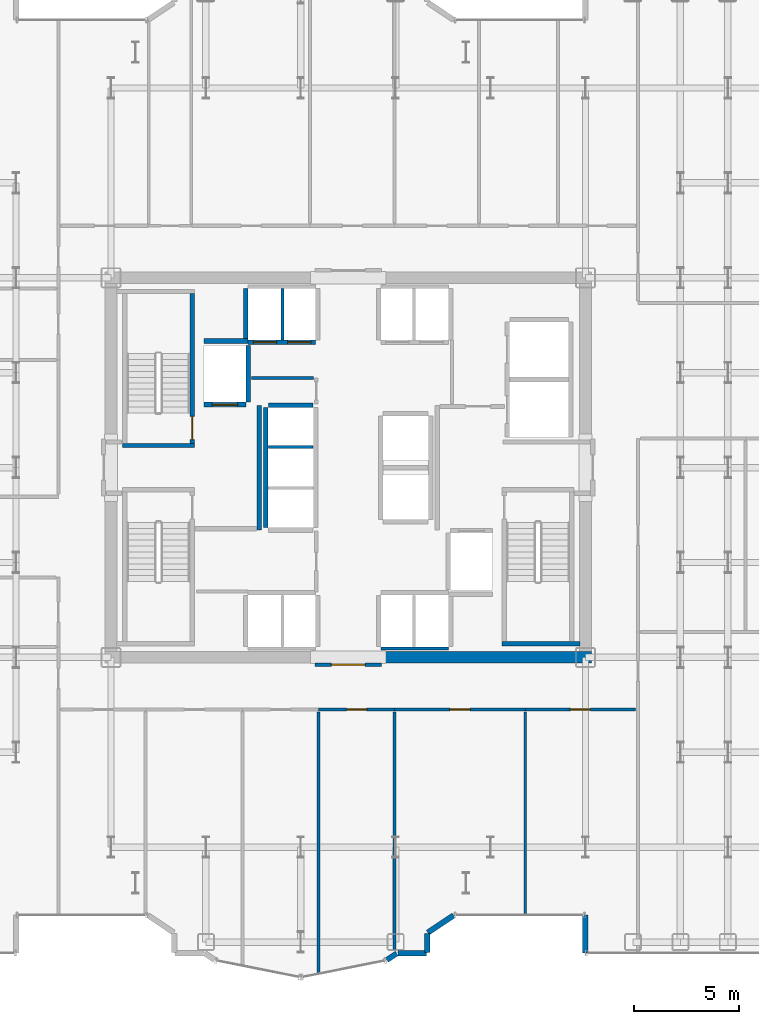
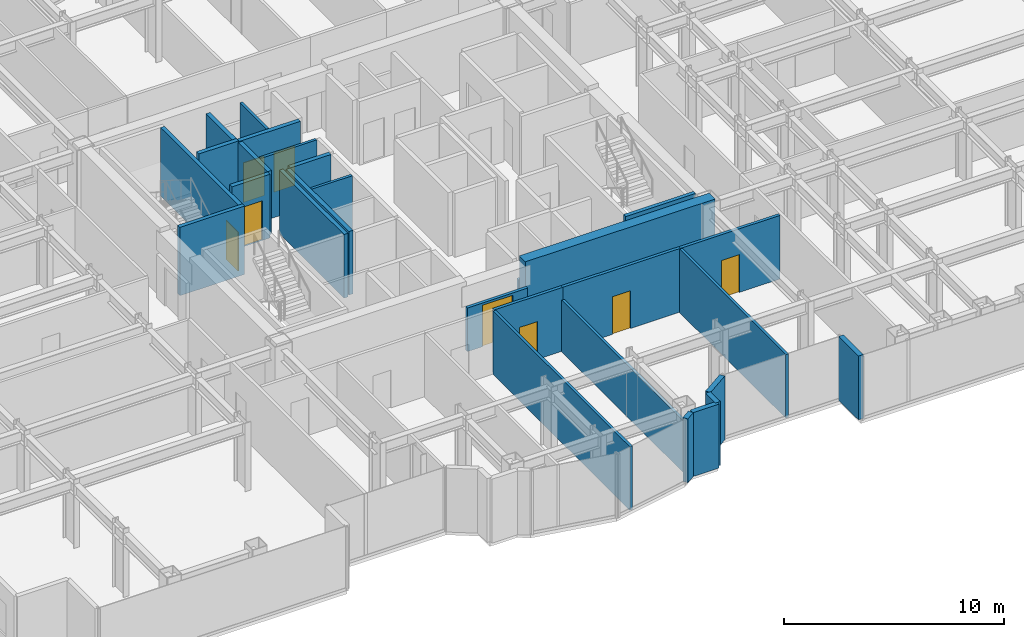
# One storey, part 21 of 26: 28 walls, 8 doors, 8 openings.
"""IFC4 building model written with IfcOpenShell, lengths in metres."""

from ifc_helpers import new_model, si_unit, direction, frame, frame_2d, origin, place, context, subcontext, project, spatial, rectangle, extrude, source, transform, mapped, material, layer, layer_set, type_object, element, fill, save


model = new_model("IFC4")

# Units and contexts
model_context = context("Model", 3, precision=1e-05, world=origin(), true_north=direction((0.0, 1.0)))
body_context = subcontext(model_context, "Body", "Model", "MODEL_VIEW")
ifc_project = project(units=[si_unit("LENGTHUNIT", "METRE"), si_unit("AREAUNIT", "SQUARE_METRE"), si_unit("VOLUMEUNIT", "CUBIC_METRE"), si_unit("PLANEANGLEUNIT", "RADIAN"), si_unit("MASSUNIT", "GRAM", prefix="KILO")], contexts=[model_context])

# Site, building, storey
site_placement = place(None, origin())
site = spatial("IfcSite", under=ifc_project, at=site_placement, CompositionType="ELEMENT")
building_placement = place(site_placement, origin())
building = spatial("IfcBuilding", under=site, at=building_placement, Name="Nefas-Gora Pilgrimage Tower", CompositionType="ELEMENT")
storey_placement = place(building_placement, frame((0.0, 0.0, 117.39990234375)))
storey = spatial("IfcBuildingStorey", under=building, at=storey_placement, Name="L28", CompositionType="ELEMENT", Elevation=117.39990234375)

# Walls
ifc_material_1 = material(Name="Concrete C60/75", Category="concrete")
ifc_layer_1 = layer(ifc_material_1, 0.550048828125)
ifc_layer_set_1 = layer_set([ifc_layer_1], Name="Concrete C60/75")
wall_type_1 = type_object("IfcWallType", Name="SW-CORE-550", PredefinedType="SHEAR", material=ifc_layer_set_1)
shared_shape_1 = source(origin(), body_context, "Body", "SweptSolid", [
    extrude(rectangle(XDim=9.974853515625, YDim=0.550048828125, at=frame_2d((4.9873046875, 0.0))), origin(), (0.0, 0.0, 1.0), 3.800048828125),
])
wall_1_placement = place(storey_placement, frame((1.550048828125, -9.0, 0.0), z_axis=(0.0, 0.0, 1.0), x_axis=(1.0, 0.0, 0.0)))
element("IfcWall", 1, at=wall_1_placement, inside=storey, type_object=wall_type_1, Name="L28 Core Shear Wall S-East", PredefinedType="SHEAR", context=body_context, shape_type="MappedRepresentation", body=[
    mapped(shared_shape_1, transform((0.0, 0.0, 0.0), x_axis=(1.0, 0.0, 0.0), y_axis=(0.0, 1.0, 0.0), z_axis=(0.0, 0.0, 1.0), scale=1.0)),
])
ifc_material_2 = material(Name="Precast concrete C40/50", Category="concrete")
ifc_layer_2 = layer(ifc_material_2, 0.260009765625)
ifc_layer_set_2 = layer_set([ifc_layer_2], Name="Precast concrete C40/50")
wall_type_2 = type_object("IfcWallType", Name="EW-PORTAL-260", PredefinedType="SOLIDWALL", material=ifc_layer_set_2)
shared_shape_2 = source(origin(), body_context, "Body", "SweptSolid", [
    extrude(rectangle(XDim=1.800048828125, YDim=0.260009765625, at=frame_2d((0.89990234375, 0.0))), origin(), (0.0, 0.0, 1.0), 3.550048828125),
])
wall_2_placement = place(storey_placement, frame((11.25, -21.219970703125, 0.0), z_axis=(0.0, 0.0, 1.0), x_axis=(0.0, -1.0, 0.0)))
element("IfcWall", 2, at=wall_2_placement, inside=storey, type_object=wall_type_2, Name="L28 Lobe Shoulder Precast Spandrel Pier 1", PredefinedType="SOLIDWALL", context=body_context, shape_type="MappedRepresentation", body=[
    mapped(shared_shape_2, transform((0.0, 0.0, 0.0), x_axis=(1.0, 0.0, 0.0), y_axis=(0.0, 1.0, 0.0), z_axis=(0.0, 0.0, 1.0), scale=1.0)),
])
shared_shape_3 = source(origin(), body_context, "Body", "SweptSolid", [
    extrude(rectangle(XDim=1.468994140625, YDim=0.260009765625, at=frame_2d((0.734375, 0.0))), origin(), (0.0, 0.0, 1.0), 3.550048828125),
])
wall_3_placement = place(storey_placement, frame((3.773193359375, -22.0517578125, 0.0), z_axis=(0.0, 0.0, 1.0), x_axis=(0.831461760506, 0.555581983884, 0.0)))
element("IfcWall", 3, at=wall_3_placement, inside=storey, type_object=wall_type_2, Name="L28 Lobe Shoulder Precast Spandrel Pier 36", PredefinedType="SOLIDWALL", context=body_context, shape_type="MappedRepresentation", body=[
    mapped(shared_shape_3, transform((0.0, 0.0, 0.0), x_axis=(1.0, 0.0, 0.0), y_axis=(0.0, 1.0, 0.0), z_axis=(0.0, 0.0, 1.0), scale=1.0)),
])
shared_shape_4 = source(origin(), body_context, "Body", "SweptSolid", [
    extrude(rectangle(XDim=0.896728515625, YDim=0.260009765625, at=frame_2d((0.4482421875, 0.0))), origin(), (0.0, 0.0, 1.0), 3.550048828125),
])
wall_4_placement = place(storey_placement, frame((3.75, -22.991943359375, 0.0), z_axis=(0.0, 0.0, 1.0), x_axis=(0.0, 1.0, 0.0)))
element("IfcWall", 4, at=wall_4_placement, inside=storey, type_object=wall_type_2, Name="L28 Lobe Shoulder Precast Spandrel Pier 35", PredefinedType="SOLIDWALL", context=body_context, shape_type="MappedRepresentation", body=[
    mapped(shared_shape_4, transform((0.0, 0.0, 0.0), x_axis=(1.0, 0.0, 0.0), y_axis=(0.0, 1.0, 0.0), z_axis=(0.0, 0.0, 1.0), scale=1.0)),
])
shared_shape_5 = source(origin(), body_context, "Body", "SweptSolid", [
    extrude(rectangle(XDim=1.369873046875, YDim=0.260009765625, at=frame_2d((0.68505859375, 0.0))), origin(), (0.0, 0.0, 1.0), 3.550048828125),
])
wall_5_placement = place(storey_placement, frame((2.35205078125, -23.02001953125, 0.0), z_axis=(0.0, 0.0, 1.0), x_axis=(1.0, 0.0, 0.0)))
element("IfcWall", 5, at=wall_5_placement, inside=storey, type_object=wall_type_2, Name="L28 Lobe Shoulder Precast Spandrel Pier 34", PredefinedType="SOLIDWALL", context=body_context, shape_type="MappedRepresentation", body=[
    mapped(shared_shape_5, transform((0.0, 0.0, 0.0), x_axis=(1.0, 0.0, 0.0), y_axis=(0.0, 1.0, 0.0), z_axis=(0.0, 0.0, 1.0), scale=1.0)),
])
shared_shape_6 = source(origin(), body_context, "Body", "SweptSolid", [
    extrude(rectangle(XDim=0.5654296875, YDim=0.260009765625, at=frame_2d((0.28271484375, 0.0))), origin(), (0.0, 0.0, 1.0), 3.550048828125),
])
wall_6_placement = place(storey_placement, frame((1.83056640625, -23.349609375, 0.0), z_axis=(0.0, 0.0, 1.0), x_axis=(0.831651492666, 0.555297933317, 0.0)))
element("IfcWall", 6, at=wall_6_placement, inside=storey, type_object=wall_type_2, Name="L28 Lobe Shoulder Precast Spandrel Pier 33", PredefinedType="SOLIDWALL", context=body_context, shape_type="MappedRepresentation", body=[
    mapped(shared_shape_6, transform((0.0, 0.0, 0.0), x_axis=(1.0, 0.0, 0.0), y_axis=(0.0, 1.0, 0.0), z_axis=(0.0, 0.0, 1.0), scale=1.0)),
])
ifc_material_3 = material(Name="Concrete C45/55", Category="concrete")
ifc_layer_3 = layer(ifc_material_3, 0.199951171875)
ifc_layer_set_3 = layer_set([ifc_layer_3], Name="Concrete C45/55")
wall_type_3 = type_object("IfcWallType", Name="IW-STAIR-200", PredefinedType="SOLIDWALL", material=ifc_layer_set_3)
shared_shape_7 = source(origin(), body_context, "Body", "SweptSolid", [
    extrude(rectangle(XDim=3.39990234375, YDim=0.199951171875, at=frame_2d((1.699951171875, 0.0))), origin(), (0.0, 0.0, 1.0), 3.800048828125),
])
wall_7_placement = place(storey_placement, frame((-7.300048828125, 1.050048828125, 0.0), z_axis=(0.0, 0.0, 1.0), x_axis=(-1.0, 0.0, 0.0)))
element("IfcWall", 7, at=wall_7_placement, inside=storey, type_object=wall_type_3, Name="L28 Stairwell Shear Wall ST-01-near", PredefinedType="SOLIDWALL", context=body_context, shape_type="MappedRepresentation", body=[
    mapped(shared_shape_7, transform((0.0, 0.0, 0.0), x_axis=(1.0, 0.0, 0.0), y_axis=(0.0, 1.0, 0.0), z_axis=(0.0, 0.0, 1.0), scale=1.0)),
])

# Wall, opening, door
shared_shape_8 = source(origin(), body_context, "Body", "SweptSolid", [
    extrude(rectangle(XDim=7.10009765625, YDim=0.199951171875, at=frame_2d((3.550048828125, 0.0))), origin(), (0.0, 0.0, 1.0), 3.800048828125),
])
wall_8_placement = place(storey_placement, frame((-7.39990234375, 1.14990234375, 0.0), z_axis=(0.0, 0.0, 1.0), x_axis=(0.0, 1.0, 0.0)))
wall_8 = element("IfcWall", 8, at=wall_8_placement, inside=storey, type_object=wall_type_3, Name="L28 Stairwell Shear Wall ST-01-left", PredefinedType="SOLIDWALL", context=body_context, shape_type="MappedRepresentation", body=[
    mapped(shared_shape_8, transform((0.0, 0.0, 0.0), x_axis=(1.0, 0.0, 0.0), y_axis=(0.0, 1.0, 0.0), z_axis=(0.0, 0.0, 1.0), scale=1.0)),
])
opening_1_placement = place(wall_8_placement, frame((0.179931640625, 0.0, 0.0)))
opening_1 = element("IfcOpeningElement", 9, at=opening_1_placement, cuts=wall_8, Name="Opening ID-ST1", PredefinedType="OPENING", context=body_context, shape_type="SweptSolid", body=[
    extrude(rectangle(XDim=1.10009765625, YDim=2.14990234375, at=frame_2d((0.550048828125, 1.074951171875))), frame((0.0, 0.10986328125, 0.0), z_axis=(0.0, -1.0, 0.0), x_axis=(1.0, 0.0, 0.0)), (0.0, 0.0, 1.0), 0.219970703125),
])
ifc_material_4 = material(Name="Painted galvanised steel fire stair door", Category="steel")
door_type_1 = type_object("IfcDoorType", Name="DR-INT-STAIR-1100", OperationType="NOTDEFINED", PredefinedType="DOOR", material=ifc_material_4)
shared_shape_9 = source(origin(), body_context, "Body", "SweptSolid", [
    extrude(rectangle(XDim=1.10009765625, YDim=2.14990234375, at=frame_2d((0.550048828125, 1.074951171875))), frame((0.0, 0.02490234375, 0.0), z_axis=(0.0, -1.0, 0.0), x_axis=(1.0, 0.0, 0.0)), (0.0, 0.0, 1.0), 0.050048828125),
])
door_1_placement = place(opening_1_placement, origin())
door_1 = element("IfcDoor", 10, at=door_1_placement, inside=storey, type_object=door_type_1, Name="L28 Protected Exit Stair Door ST-01", OperationType="SINGLE_SWING_RIGHT", OverallHeight=2.14990234375, OverallWidth=1.10009765625, PredefinedType="DOOR", context=body_context, shape_type="MappedRepresentation", body=[
    mapped(shared_shape_9, transform((0.0, 0.0, 0.0), x_axis=(1.0, 0.0, 0.0), y_axis=(0.0, 1.0, 0.0), z_axis=(0.0, 0.0, 1.0), scale=1.0)),
])
fill(opening_1, door_1)

# Walls
shared_shape_10 = source(origin(), body_context, "Body", "SweptSolid", [
    extrude(rectangle(XDim=3.679931640625, YDim=0.199951171875, at=frame_2d((1.83984375, 0.0))), origin(), (0.0, 0.0, 1.0), 3.800048828125),
])
wall_9_placement = place(storey_placement, frame((7.300048828125, -8.35009765625, 0.0), z_axis=(0.0, 0.0, 1.0), x_axis=(1.0, 0.0, 0.0)))
element("IfcWall", 11, at=wall_9_placement, inside=storey, type_object=wall_type_3, Name="L28 Stairwell Shear Wall ST-02-far", PredefinedType="SOLIDWALL", context=body_context, shape_type="MappedRepresentation", body=[
    mapped(shared_shape_10, transform((0.0, 0.0, 0.0), x_axis=(1.0, 0.0, 0.0), y_axis=(0.0, 1.0, 0.0), z_axis=(0.0, 0.0, 1.0), scale=1.0)),
])
ifc_material_5 = material(Name="Gypsum acoustic stud partition")
ifc_layer_4 = layer(ifc_material_5, 0.159912109375)
ifc_layer_set_4 = layer_set([ifc_layer_4], Name="Gypsum acoustic stud partition")
wall_type_4 = type_object("IfcWallType", Name="IW-CORR-160", PredefinedType="PARTITIONING", material=ifc_layer_set_4)
shared_shape_11 = source(origin(), body_context, "Body", "SweptSolid", [
    extrude(rectangle(XDim=3.199951171875, YDim=0.159912109375, at=frame_2d((1.60009765625, 0.0))), origin(), (0.0, 0.0, 1.0), 2.425048828125),
])
wall_10_placement = place(storey_placement, frame((1.550048828125, -8.580078125, 0.0), z_axis=(0.0, 0.0, 1.0), x_axis=(1.0, 0.0, 0.0)))
element("IfcWall", 12, at=wall_10_placement, inside=storey, type_object=wall_type_4, Name="L28 Hoistway Wall PL2-E-S", PredefinedType="PARTITIONING", context=body_context, shape_type="MappedRepresentation", body=[
    mapped(shared_shape_11, transform((0.0, 0.0, 0.0), x_axis=(1.0, 0.0, 0.0), y_axis=(0.0, 1.0, 0.0), z_axis=(0.0, 0.0, 1.0), scale=1.0)),
])

# Wall, opening, door
ifc_material_6 = material(Name="Concrete C40/50", Category="concrete")
ifc_layer_5 = layer(ifc_material_6, 0.219970703125)
ifc_layer_set_5 = layer_set([ifc_layer_5], Name="Concrete C40/50")
wall_type_5 = type_object("IfcWallType", Name="IW-SHAFT-220", PredefinedType="SOLIDWALL", material=ifc_layer_set_5)
shared_shape_12 = source(origin(), body_context, "Body", "SweptSolid", [
    extrude(rectangle(XDim=2.0, YDim=0.219970703125, at=frame_2d((1.0, 0.0))), origin(), (0.0, 0.0, 1.0), 3.53515625),
])
wall_11_placement = place(storey_placement, frame((-6.85009765625, 2.989990234375, 0.0), z_axis=(0.0, 0.0, 1.0), x_axis=(1.0, 0.0, 0.0)))
wall_11 = element("IfcWall", 13, at=wall_11_placement, inside=storey, type_object=wall_type_5, Name="L28 Hoistway Wall FFL-01-S", PredefinedType="SOLIDWALL", context=body_context, shape_type="MappedRepresentation", body=[
    mapped(shared_shape_12, transform((0.0, 0.0, 0.0), x_axis=(1.0, 0.0, 0.0), y_axis=(0.0, 1.0, 0.0), z_axis=(0.0, 0.0, 1.0), scale=1.0)),
])
opening_2_placement = place(wall_11_placement, frame((0.39990234375, 0.0, 0.0)))
opening_2 = element("IfcOpeningElement", 14, at=opening_2_placement, cuts=wall_11, Name="Opening LD-FF", PredefinedType="OPENING", context=body_context, shape_type="SweptSolid", body=[
    extrude(rectangle(XDim=1.199951171875, YDim=2.199951171875, at=frame_2d((0.60009765625, 1.10009765625))), frame((0.0, 0.119873046875, 0.0), z_axis=(0.0, -1.0, 0.0), x_axis=(1.0, 0.0, 0.0)), (0.0, 0.0, 1.0), 0.239990234375),
])
ifc_material_7 = material(Name="Fire-service sliding lift landing door")
door_type_2 = type_object("IfcDoorType", Name="DR-LIFT-FSAE-1200", OperationType="SLIDING_TO_LEFT", PredefinedType="DOOR", material=ifc_material_7)
shared_shape_13 = source(origin(), body_context, "Body", "SweptSolid", [
    extrude(rectangle(XDim=1.199951171875, YDim=2.199951171875, at=frame_2d((0.60009765625, 1.10009765625))), frame((0.0, 0.02490234375, 0.0), z_axis=(0.0, -1.0, 0.0), x_axis=(1.0, 0.0, 0.0)), (0.0, 0.0, 1.0), 0.050048828125),
])
door_2_placement = place(opening_2_placement, origin())
door_2 = element("IfcDoor", 15, at=door_2_placement, inside=storey, type_object=door_type_2, Name="L28 Sliding Lift Landing Door FFL-01", OperationType="SLIDING_TO_LEFT", OverallHeight=2.199951171875, OverallWidth=1.199951171875, PredefinedType="DOOR", context=body_context, shape_type="MappedRepresentation", body=[
    mapped(shared_shape_13, transform((0.0, 0.0, 0.0), x_axis=(1.0, 0.0, 0.0), y_axis=(0.0, 1.0, 0.0), z_axis=(0.0, 0.0, 1.0), scale=1.0)),
])
fill(opening_2, door_2)

# Wall
shared_shape_14 = source(origin(), body_context, "Body", "SweptSolid", [
    extrude(rectangle(XDim=2.679931640625, YDim=0.219970703125, at=frame_2d((1.33984375, 0.0))), origin(), (0.0, 0.0, 1.0), 3.53515625),
])
wall_12_placement = place(storey_placement, frame((-4.739990234375, 3.110107421875, 0.0), z_axis=(0.0, 0.0, 1.0), x_axis=(0.0, 1.0, 0.0)))
element("IfcWall", 16, at=wall_12_placement, inside=storey, type_object=wall_type_5, Name="L28 Hoistway Wall FFL-01-E", PredefinedType="SOLIDWALL", context=body_context, shape_type="MappedRepresentation", body=[
    mapped(shared_shape_14, transform((0.0, 0.0, 0.0), x_axis=(1.0, 0.0, 0.0), y_axis=(0.0, 1.0, 0.0), z_axis=(0.0, 0.0, 1.0), scale=1.0)),
])

# Wall, openings, doors
shared_shape_15 = source(origin(), body_context, "Body", "SweptSolid", [
    extrude(rectangle(XDim=3.199951171875, YDim=0.219970703125, at=frame_2d((1.60009765625, 0.0))), origin(), (0.0, 0.0, 1.0), 3.53515625),
])
wall_13_placement = place(storey_placement, frame((-4.75, 5.93994140625, 0.0), z_axis=(0.0, 0.0, 1.0), x_axis=(1.0, 0.0, 0.0)))
wall_13 = element("IfcWall", 17, at=wall_13_placement, inside=storey, type_object=wall_type_5, Name="L28 Hoistway Wall PL1-W-S", PredefinedType="SOLIDWALL", context=body_context, shape_type="MappedRepresentation", body=[
    mapped(shared_shape_15, transform((0.0, 0.0, 0.0), x_axis=(1.0, 0.0, 0.0), y_axis=(0.0, 1.0, 0.0), z_axis=(0.0, 0.0, 1.0), scale=1.0)),
])
opening_3_placement = place(wall_13_placement, frame((0.25, 0.0, 0.0)))
opening_3 = element("IfcOpeningElement", 18, at=opening_3_placement, cuts=wall_13, Name="Opening LD-01", PredefinedType="OPENING", context=body_context, shape_type="SweptSolid", body=[
    extrude(rectangle(XDim=1.10009765625, YDim=2.199951171875, at=frame_2d((0.550048828125, 1.10009765625))), frame((0.0, 0.119873046875, 0.0), z_axis=(0.0, -1.0, 0.0), x_axis=(1.0, 0.0, 0.0)), (0.0, 0.0, 1.0), 0.239990234375),
])
opening_4_placement = place(wall_13_placement, frame((1.875, 0.0, 0.0)))
opening_4 = element("IfcOpeningElement", 19, at=opening_4_placement, cuts=wall_13, Name="Opening LD-01", PredefinedType="OPENING", context=body_context, shape_type="SweptSolid", body=[
    extrude(rectangle(XDim=1.10009765625, YDim=2.199951171875, at=frame_2d((0.550048828125, 1.10009765625))), frame((0.0, 0.119873046875, 0.0), z_axis=(0.0, -1.0, 0.0), x_axis=(1.0, 0.0, 0.0)), (0.0, 0.0, 1.0), 0.239990234375),
])
ifc_material_8 = material(Name="Brushed stainless sliding lift landing door")
door_type_3 = type_object("IfcDoorType", Name="DR-LIFT-PASS-1100", OperationType="DOUBLE_DOOR_SLIDING", PredefinedType="DOOR", material=ifc_material_8)
shared_shape_16 = source(origin(), body_context, "Body", "SweptSolid", [
    extrude(rectangle(XDim=1.10009765625, YDim=2.199951171875, at=frame_2d((0.550048828125, 1.10009765625))), frame((0.0, 0.02490234375, 0.0), z_axis=(0.0, -1.0, 0.0), x_axis=(1.0, 0.0, 0.0)), (0.0, 0.0, 1.0), 0.050048828125),
])
door_3_placement = place(opening_3_placement, origin())
door_3 = element("IfcDoor", 20, at=door_3_placement, inside=storey, type_object=door_type_3, Name="L28 Sliding Lift Landing Door PL1-01", OperationType="DOUBLE_DOOR_SLIDING", OverallHeight=2.199951171875, OverallWidth=1.10009765625, PredefinedType="DOOR", context=body_context, shape_type="MappedRepresentation", body=[
    mapped(shared_shape_16, transform((0.0, 0.0, 0.0), x_axis=(1.0, 0.0, 0.0), y_axis=(0.0, 1.0, 0.0), z_axis=(0.0, 0.0, 1.0), scale=1.0)),
])
fill(opening_3, door_3)
door_4_placement = place(opening_4_placement, origin())
door_4 = element("IfcDoor", 21, at=door_4_placement, inside=storey, type_object=door_type_3, Name="L28 Sliding Lift Landing Door PL1-02", OperationType="DOUBLE_DOOR_SLIDING", OverallHeight=2.199951171875, OverallWidth=1.10009765625, PredefinedType="DOOR", context=body_context, shape_type="MappedRepresentation", body=[
    mapped(shared_shape_16, transform((0.0, 0.0, 0.0), x_axis=(1.0, 0.0, 0.0), y_axis=(0.0, 1.0, 0.0), z_axis=(0.0, 0.0, 1.0), scale=1.0)),
])
fill(opening_4, door_4)

# Walls
shared_shape_17 = source(origin(), body_context, "Body", "SweptSolid", [
    extrude(rectangle(XDim=2.429931640625, YDim=0.219970703125, at=frame_2d((1.21484375, 0.0))), origin(), (0.0, 0.0, 1.0), 3.53515625),
])
wall_14_placement = place(storey_placement, frame((-4.860107421875, 8.489990234375, 0.0), z_axis=(0.0, 0.0, 1.0), x_axis=(0.0, -1.0, 0.0)))
element("IfcWall", 22, at=wall_14_placement, inside=storey, type_object=wall_type_5, Name="L28 Hoistway Wall PL1-W-W", PredefinedType="SOLIDWALL", context=body_context, shape_type="MappedRepresentation", body=[
    mapped(shared_shape_17, transform((0.0, 0.0, 0.0), x_axis=(1.0, 0.0, 0.0), y_axis=(0.0, 1.0, 0.0), z_axis=(0.0, 0.0, 1.0), scale=1.0)),
])
ifc_material_9 = material(Name="Gypsum twin-stud partition")
ifc_layer_6 = layer(ifc_material_9, 0.139892578125)
ifc_layer_set_6 = layer_set([ifc_layer_6], Name="Gypsum twin-stud partition")
wall_type_6 = type_object("IfcWallType", Name="IW-UNIT-140", PredefinedType="PARTITIONING", material=ifc_layer_set_6)
shared_shape_18 = source(origin(), body_context, "Body", "SweptSolid", [
    extrude(rectangle(XDim=2.429931640625, YDim=0.139892578125, at=frame_2d((1.21484375, 0.0))), origin(), (0.0, 0.0, 1.0), 3.53515625),
])
wall_15_placement = place(storey_placement, frame((-3.125, 6.06005859375, 0.0), z_axis=(0.0, 0.0, 1.0), x_axis=(0.0, 1.0, 0.0)))
element("IfcWall", 23, at=wall_15_placement, inside=storey, type_object=wall_type_6, Name="L28 Hoistway Wall PL1-W-DIV", PredefinedType="PARTITIONING", context=body_context, shape_type="MappedRepresentation", body=[
    mapped(shared_shape_18, transform((0.0, 0.0, 0.0), x_axis=(1.0, 0.0, 0.0), y_axis=(0.0, 1.0, 0.0), z_axis=(0.0, 0.0, 1.0), scale=1.0)),
])
shared_shape_19 = source(origin(), body_context, "Body", "SweptSolid", [
    extrude(rectangle(XDim=5.7001953125, YDim=0.219970703125, at=frame_2d((2.85009765625, 0.0))), origin(), (0.0, 0.0, 1.0), 3.53515625),
])
wall_16_placement = place(storey_placement, frame((-3.909912109375, 2.85009765625, 0.0), z_axis=(0.0, 0.0, 1.0), x_axis=(0.0, -1.0, 0.0)))
element("IfcWall", 24, at=wall_16_placement, inside=storey, type_object=wall_type_5, Name="L28 Hoistway Wall PL3-01-03-W", PredefinedType="SOLIDWALL", context=body_context, shape_type="MappedRepresentation", body=[
    mapped(shared_shape_19, transform((0.0, 0.0, 0.0), x_axis=(1.0, 0.0, 0.0), y_axis=(0.0, 1.0, 0.0), z_axis=(0.0, 0.0, 1.0), scale=1.0)),
])
shared_shape_20 = source(origin(), body_context, "Body", "SweptSolid", [
    extrude(rectangle(XDim=2.130126953125, YDim=0.219970703125, at=frame_2d((1.06494140625, 0.0))), origin(), (0.0, 0.0, 1.0), 3.53515625),
])
wall_17_placement = place(storey_placement, frame((-1.659912109375, 2.9599609375, 0.0), z_axis=(0.0, 0.0, 1.0), x_axis=(-1.0, 0.0, 0.0)))
element("IfcWall", 25, at=wall_17_placement, inside=storey, type_object=wall_type_5, Name="L28 Hoistway Wall PL3-03-N", PredefinedType="SOLIDWALL", context=body_context, shape_type="MappedRepresentation", body=[
    mapped(shared_shape_20, transform((0.0, 0.0, 0.0), x_axis=(1.0, 0.0, 0.0), y_axis=(0.0, 1.0, 0.0), z_axis=(0.0, 0.0, 1.0), scale=1.0)),
])
shared_shape_21 = source(origin(), body_context, "Body", "SweptSolid", [
    extrude(rectangle(XDim=2.130126953125, YDim=0.139892578125, at=frame_2d((1.06494140625, 0.0))), origin(), (0.0, 0.0, 1.0), 3.53515625),
])
wall_18_placement = place(storey_placement, frame((-3.7900390625, 0.97509765625, 0.0), z_axis=(0.0, 0.0, 1.0), x_axis=(1.0, 0.0, 0.0)))
element("IfcWall", 26, at=wall_18_placement, inside=storey, type_object=wall_type_6, Name="L28 Hoistway Wall PL3-02-03-DIV", PredefinedType="PARTITIONING", context=body_context, shape_type="MappedRepresentation", body=[
    mapped(shared_shape_21, transform((0.0, 0.0, 0.0), x_axis=(1.0, 0.0, 0.0), y_axis=(0.0, 1.0, 0.0), z_axis=(0.0, 0.0, 1.0), scale=1.0)),
])
shared_shape_22 = source(origin(), body_context, "Body", "SweptSolid", [
    extrude(rectangle(XDim=2.09521484375, YDim=0.219970703125, at=frame_2d((1.047607421875, 0.0))), origin(), (0.0, 0.0, 1.0), 3.53515625),
])
wall_19_placement = place(storey_placement, frame((-6.85009765625, 6.0, 0.0), z_axis=(0.0, 0.0, 1.0), x_axis=(1.0, 0.0, 0.0)))
element("IfcWall", 27, at=wall_19_placement, inside=storey, type_object=wall_type_5, Name="L28 Riser Shaft Wall 1", PredefinedType="SOLIDWALL", context=body_context, shape_type="MappedRepresentation", body=[
    mapped(shared_shape_22, transform((0.0, 0.0, 0.0), x_axis=(1.0, 0.0, 0.0), y_axis=(0.0, 1.0, 0.0), z_axis=(0.0, 0.0, 1.0), scale=1.0)),
])
ifc_material_10 = material(Name="Gypsum fire-rated shaftwall")
ifc_layer_7 = layer(ifc_material_10, 0.199951171875)
ifc_layer_set_7 = layer_set([ifc_layer_7], Name="Gypsum fire-rated shaftwall")
wall_type_7 = type_object("IfcWallType", Name="IW-FFLOB-200", PredefinedType="PARTITIONING", material=ifc_layer_set_7)
shared_shape_23 = source(origin(), body_context, "Body", "SweptSolid", [
    extrude(rectangle(XDim=5.89990234375, YDim=0.199951171875, at=frame_2d((2.949951171875, 0.0))), origin(), (0.0, 0.0, 1.0), 3.53515625),
])
wall_20_placement = place(storey_placement, frame((-4.219970703125, -2.949951171875, 0.0), z_axis=(0.0, 0.0, 1.0), x_axis=(0.0, 1.0, 0.0)))
element("IfcWall", 28, at=wall_20_placement, inside=storey, type_object=wall_type_7, Name="L28 FF Lobby West Inner Wall Wall 4", PredefinedType="PARTITIONING", context=body_context, shape_type="MappedRepresentation", body=[
    mapped(shared_shape_23, transform((0.0, 0.0, 0.0), x_axis=(1.0, 0.0, 0.0), y_axis=(0.0, 1.0, 0.0), z_axis=(0.0, 0.0, 1.0), scale=1.0)),
])
shared_shape_24 = source(origin(), body_context, "Body", "SweptSolid", [
    extrude(rectangle(XDim=2.9501953125, YDim=0.139892578125, at=frame_2d((1.47509765625, 0.0))), origin(), (0.0, 0.0, 1.0), 3.53515625),
])
wall_21_placement = place(storey_placement, frame((-4.590087890625, 4.25, 0.0), z_axis=(0.0, 0.0, 1.0), x_axis=(1.0, 0.0, 0.0)))
element("IfcWall", 29, at=wall_21_placement, inside=storey, type_object=wall_type_6, Name="L28 Housekeeping and Linen Store Partition Wall 17", PredefinedType="PARTITIONING", context=body_context, shape_type="MappedRepresentation", body=[
    mapped(shared_shape_24, transform((0.0, 0.0, 0.0), x_axis=(1.0, 0.0, 0.0), y_axis=(0.0, 1.0, 0.0), z_axis=(0.0, 0.0, 1.0), scale=1.0)),
])
shared_shape_25 = source(origin(), body_context, "Body", "SweptSolid", [
    extrude(rectangle(XDim=9.64990234375, YDim=0.139892578125, at=frame_2d((4.824951171875, 0.0))), origin(), (0.0, 0.0, 1.0), 3.53515625),
])
wall_22_placement = place(storey_placement, frame((8.39501953125, -21.239990234375, 0.0), z_axis=(0.0, 0.0, 1.0), x_axis=(0.0, 1.0, 0.0)))
element("IfcWall", 30, at=wall_22_placement, inside=storey, type_object=wall_type_6, Name="L28 Pilgrim Contemplative Lounge Partition Wall 63", PredefinedType="PARTITIONING", context=body_context, shape_type="MappedRepresentation", body=[
    mapped(shared_shape_25, transform((0.0, 0.0, 0.0), x_axis=(1.0, 0.0, 0.0), y_axis=(0.0, 1.0, 0.0), z_axis=(0.0, 0.0, 1.0), scale=1.0)),
])

# Wall, opening, door
shared_shape_26 = source(origin(), body_context, "Body", "SweptSolid", [
    extrude(rectangle(XDim=5.22509765625, YDim=0.159912109375, at=frame_2d((2.612548828125, 0.0))), origin(), (0.0, 0.0, 1.0), 3.53515625),
])
wall_23_placement = place(storey_placement, frame((8.39501953125, -11.469970703125, 0.0), z_axis=(0.0, 0.0, 1.0), x_axis=(1.0, 0.0, 0.0)))
wall_23 = element("IfcWall", 31, at=wall_23_placement, inside=storey, type_object=wall_type_4, Name="L28 Pilgrim Contemplative Lounge Partition Wall 64", PredefinedType="PARTITIONING", context=body_context, shape_type="MappedRepresentation", body=[
    mapped(shared_shape_26, transform((0.0, 0.0, 0.0), x_axis=(1.0, 0.0, 0.0), y_axis=(0.0, 1.0, 0.0), z_axis=(0.0, 0.0, 1.0), scale=1.0)),
])
opening_5_placement = place(wall_23_placement, frame((2.137451171875, 0.0, 0.0)))
opening_5 = element("IfcOpeningElement", 32, at=opening_5_placement, cuts=wall_23, Name="Opening ID-GR1", PredefinedType="OPENING", context=body_context, shape_type="SweptSolid", body=[
    extrude(rectangle(XDim=0.949951171875, YDim=2.10009765625, at=frame_2d((0.47509765625, 1.050048828125))), frame((0.0, 0.08984375, 0.0), z_axis=(0.0, -1.0, 0.0), x_axis=(1.0, 0.0, 0.0)), (0.0, 0.0, 1.0), 0.179931640625),
])
ifc_material_11 = material(Name="Solid core oak fire-rated guest entrance door")
door_type_4 = type_object("IfcDoorType", Name="DR-INT-GUEST-950", OperationType="NOTDEFINED", PredefinedType="DOOR", material=ifc_material_11)
shared_shape_27 = source(origin(), body_context, "Body", "SweptSolid", [
    extrude(rectangle(XDim=0.949951171875, YDim=2.10009765625, at=frame_2d((0.47509765625, 1.050048828125))), frame((0.0, 0.02490234375, 0.0), z_axis=(0.0, -1.0, 0.0), x_axis=(1.0, 0.0, 0.0)), (0.0, 0.0, 1.0), 0.050048828125),
])
door_5_placement = place(opening_5_placement, origin())
door_5 = element("IfcDoor", 33, at=door_5_placement, inside=storey, type_object=door_type_4, Name="L28 Pilgrim Contemplative Lounge Door 31", OperationType="SINGLE_SWING_RIGHT", OverallHeight=2.10009765625, OverallWidth=0.949951171875, PredefinedType="DOOR", context=body_context, shape_type="MappedRepresentation", body=[
    mapped(shared_shape_27, transform((0.0, 0.0, 0.0), x_axis=(1.0, 0.0, 0.0), y_axis=(0.0, 1.0, 0.0), z_axis=(0.0, 0.0, 1.0), scale=1.0)),
])
fill(opening_5, door_5)

shared_shape_28 = source(origin(), body_context, "Body", "SweptSolid", [
    extrude(rectangle(XDim=3.16015625, YDim=0.159912109375, at=frame_2d((1.580078125, 0.0))), origin(), (0.0, 0.0, 1.0), 2.425048828125),
])
wall_24_placement = place(storey_placement, frame((-1.580078125, -9.35009765625, 0.0), z_axis=(0.0, 0.0, 1.0), x_axis=(1.0, 0.0, 0.0)))
wall_24 = element("IfcWall", 34, at=wall_24_placement, inside=storey, type_object=wall_type_4, Name="L28 Central Lift Lobby South Portal Wall 14", PredefinedType="PARTITIONING", context=body_context, shape_type="MappedRepresentation", body=[
    mapped(shared_shape_28, transform((0.0, 0.0, 0.0), x_axis=(1.0, 0.0, 0.0), y_axis=(0.0, 1.0, 0.0), z_axis=(0.0, 0.0, 1.0), scale=1.0)),
])
opening_6_placement = place(wall_24_placement, frame((0.780029296875, 0.0, 0.0)))
opening_6 = element("IfcOpeningElement", 35, at=opening_6_placement, cuts=wall_24, Name="Opening ID-HL1", PredefinedType="OPENING", context=body_context, shape_type="SweptSolid", body=[
    extrude(rectangle(XDim=1.60009765625, YDim=2.300048828125, at=frame_2d((0.800048828125, 1.14990234375))), frame((0.0, 0.08984375, 0.0), z_axis=(0.0, -1.0, 0.0), x_axis=(1.0, 0.0, 0.0)), (0.0, 0.0, 1.0), 0.179931640625),
])
ifc_material_12 = material(Name="Double acoustic timber assembly hall door", Category="wood")
door_type_5 = type_object("IfcDoorType", Name="DR-INT-HALL-1600", OperationType="DOUBLE_DOOR_SINGLE_SWING", PredefinedType="DOOR", material=ifc_material_12)
shared_shape_29 = source(origin(), body_context, "Body", "SweptSolid", [
    extrude(rectangle(XDim=1.60009765625, YDim=2.300048828125, at=frame_2d((0.800048828125, 1.14990234375))), frame((0.0, 0.02490234375, 0.0), z_axis=(0.0, -1.0, 0.0), x_axis=(1.0, 0.0, 0.0)), (0.0, 0.0, 1.0), 0.050048828125),
])
door_6_placement = place(opening_6_placement, origin())
door_6 = element("IfcDoor", 36, at=door_6_placement, inside=storey, type_object=door_type_5, Name="L28 Central Lift Lobby South Portal Door 5", OperationType="DOUBLE_DOOR_SINGLE_SWING", OverallHeight=2.300048828125, OverallWidth=1.60009765625, PredefinedType="DOOR", context=body_context, shape_type="MappedRepresentation", body=[
    mapped(shared_shape_29, transform((0.0, 0.0, 0.0), x_axis=(1.0, 0.0, 0.0), y_axis=(0.0, 1.0, 0.0), z_axis=(0.0, 0.0, 1.0), scale=1.0)),
])
fill(opening_6, door_6)

# Wall
shared_shape_30 = source(origin(), body_context, "Body", "SweptSolid", [
    extrude(rectangle(XDim=11.314208984375, YDim=0.139892578125, at=frame_2d((5.6572265625, 0.0))), origin(), (0.0, 0.0, 1.0), 2.875),
])
wall_25_placement = place(storey_placement, frame((2.195068359375, -22.904296875, 0.0), z_axis=(0.0, 0.0, 1.0), x_axis=(0.0, 1.0, 0.0)))
element("IfcWall", 37, at=wall_25_placement, inside=storey, type_object=wall_type_6, Name="L28 Pilgrim Contemplative Lounge Partition Wall 61", PredefinedType="PARTITIONING", context=body_context, shape_type="MappedRepresentation", body=[
    mapped(shared_shape_30, transform((0.0, 0.0, 0.0), x_axis=(1.0, 0.0, 0.0), y_axis=(0.0, 1.0, 0.0), z_axis=(0.0, 0.0, 1.0), scale=1.0)),
])

# Wall, opening, door
shared_shape_31 = source(origin(), body_context, "Body", "SweptSolid", [
    extrude(rectangle(XDim=3.60498046875, YDim=0.159912109375, at=frame_2d((1.802490234375, 0.0))), origin(), (0.0, 0.0, 1.0), 3.53515625),
])
wall_26_placement = place(storey_placement, frame((-1.39990234375, -11.469970703125, 0.0), z_axis=(0.0, 0.0, 1.0), x_axis=(1.0, 0.0, 0.0)))
wall_26 = element("IfcWall", 38, at=wall_26_placement, inside=storey, type_object=wall_type_4, Name="L28 Pilgrim Contemplative Lounge Partition Wall 60", PredefinedType="PARTITIONING", context=body_context, shape_type="MappedRepresentation", body=[
    mapped(shared_shape_31, transform((0.0, 0.0, 0.0), x_axis=(1.0, 0.0, 0.0), y_axis=(0.0, 1.0, 0.0), z_axis=(0.0, 0.0, 1.0), scale=1.0)),
])
opening_7_placement = place(wall_26_placement, frame((1.327392578125, 0.0, 0.0)))
opening_7 = element("IfcOpeningElement", 39, at=opening_7_placement, cuts=wall_26, Name="Opening ID-GR1", PredefinedType="OPENING", context=body_context, shape_type="SweptSolid", body=[
    extrude(rectangle(XDim=0.949951171875, YDim=2.10009765625, at=frame_2d((0.47509765625, 1.050048828125))), frame((0.0, 0.08984375, 0.0), z_axis=(0.0, -1.0, 0.0), x_axis=(1.0, 0.0, 0.0)), (0.0, 0.0, 1.0), 0.179931640625),
])
door_7_placement = place(opening_7_placement, origin())
door_7 = element("IfcDoor", 40, at=door_7_placement, inside=storey, type_object=door_type_4, Name="L28 Pilgrim Contemplative Lounge Door 29", OperationType="SINGLE_SWING_RIGHT", OverallHeight=2.10009765625, OverallWidth=0.949951171875, PredefinedType="DOOR", context=body_context, shape_type="MappedRepresentation", body=[
    mapped(shared_shape_27, transform((0.0, 0.0, 0.0), x_axis=(1.0, 0.0, 0.0), y_axis=(0.0, 1.0, 0.0), z_axis=(0.0, 0.0, 1.0), scale=1.0)),
])
fill(opening_7, door_7)

# Wall
shared_shape_32 = source(origin(), body_context, "Body", "SweptSolid", [
    extrude(rectangle(XDim=12.435546875, YDim=0.139892578125, at=frame_2d((6.2177734375, 0.0))), origin(), (0.0, 0.0, 1.0), 3.53515625),
])
wall_27_placement = place(storey_placement, frame((-1.409912109375, -24.025634765625, 0.0), z_axis=(0.0, 0.0, 1.0), x_axis=(0.0, 1.0, 0.0)))
element("IfcWall", 41, at=wall_27_placement, inside=storey, type_object=wall_type_6, Name="L28 Pilgrim Contemplative Lounge Partition Wall 59", PredefinedType="PARTITIONING", context=body_context, shape_type="MappedRepresentation", body=[
    mapped(shared_shape_32, transform((0.0, 0.0, 0.0), x_axis=(1.0, 0.0, 0.0), y_axis=(0.0, 1.0, 0.0), z_axis=(0.0, 0.0, 1.0), scale=1.0)),
])

# Wall, opening, door
shared_shape_33 = source(origin(), body_context, "Body", "SweptSolid", [
    extrude(rectangle(XDim=6.2099609375, YDim=0.159912109375, at=frame_2d((3.10498046875, 0.0))), origin(), (0.0, 0.0, 1.0), 3.53515625),
])
wall_28_placement = place(storey_placement, frame((2.195068359375, -11.469970703125, 0.0), z_axis=(0.0, 0.0, 1.0), x_axis=(1.0, 0.0, 0.0)))
wall_28 = element("IfcWall", 42, at=wall_28_placement, inside=storey, type_object=wall_type_4, Name="L28 Pilgrim Contemplative Lounge Partition Wall 62", PredefinedType="PARTITIONING", context=body_context, shape_type="MappedRepresentation", body=[
    mapped(shared_shape_33, transform((0.0, 0.0, 0.0), x_axis=(1.0, 0.0, 0.0), y_axis=(0.0, 1.0, 0.0), z_axis=(0.0, 0.0, 1.0), scale=1.0)),
])
opening_8_placement = place(wall_28_placement, frame((2.6298828125, 0.0, 0.0)))
opening_8 = element("IfcOpeningElement", 43, at=opening_8_placement, cuts=wall_28, Name="Opening ID-GR1", PredefinedType="OPENING", context=body_context, shape_type="SweptSolid", body=[
    extrude(rectangle(XDim=0.949951171875, YDim=2.10009765625, at=frame_2d((0.47509765625, 1.050048828125))), frame((0.0, 0.08984375, 0.0), z_axis=(0.0, -1.0, 0.0), x_axis=(1.0, 0.0, 0.0)), (0.0, 0.0, 1.0), 0.179931640625),
])
door_8_placement = place(opening_8_placement, origin())
door_8 = element("IfcDoor", 44, at=door_8_placement, inside=storey, type_object=door_type_4, Name="L28 Pilgrim Contemplative Lounge Door 30", OperationType="SINGLE_SWING_LEFT", OverallHeight=2.10009765625, OverallWidth=0.949951171875, PredefinedType="DOOR", context=body_context, shape_type="MappedRepresentation", body=[
    mapped(shared_shape_27, transform((0.0, 0.0, 0.0), x_axis=(1.0, 0.0, 0.0), y_axis=(0.0, 1.0, 0.0), z_axis=(0.0, 0.0, 1.0), scale=1.0)),
])
fill(opening_8, door_8)

save(model, "model.ifc")
